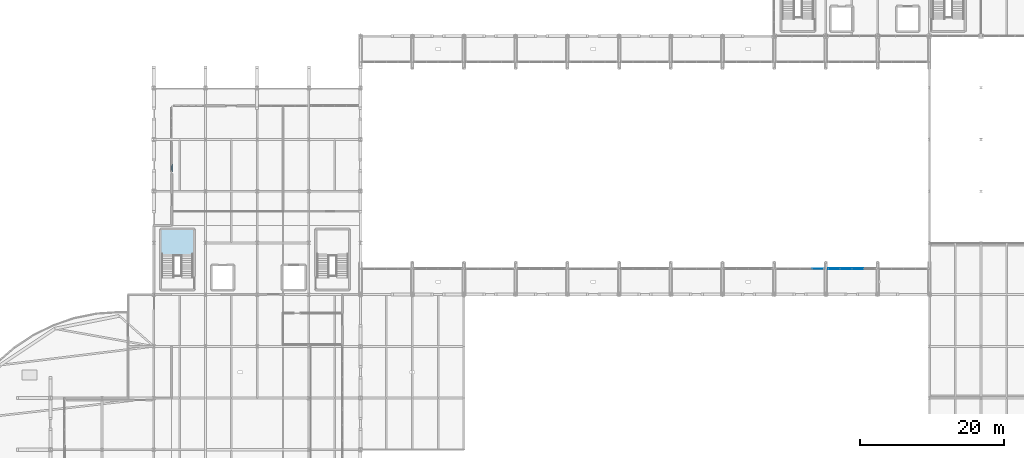
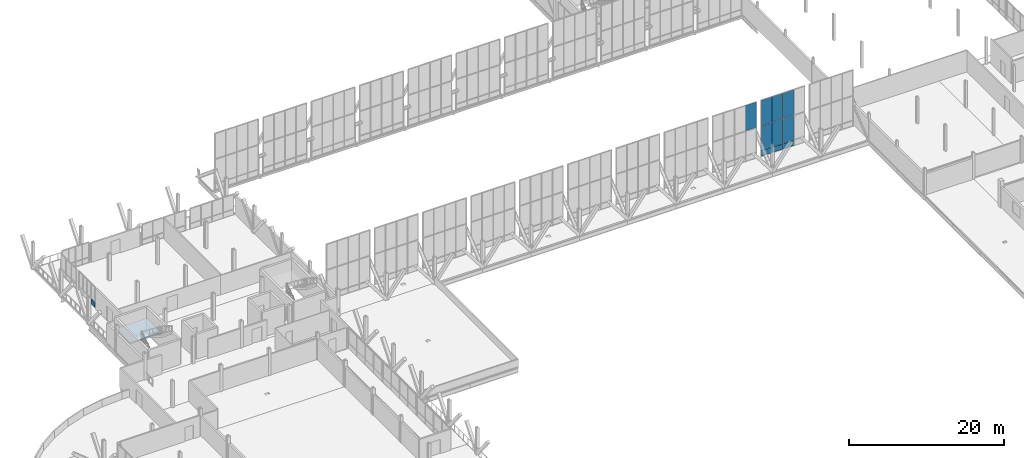
# One storey, part 77 of 102: 11 plates, 1 slab, 4 elements without a shape of their own.
"""IFC4 building model written with IfcOpenShell, lengths in metres."""

from ifc_helpers import new_model, si_unit, direction, frame, origin, origin_2d, place, context, subcontext, project, spatial, polyline, rectangle, outline, extrude, material, layer, layer_set, type_object, element, aggregate, save


model = new_model("IFC4")

# Units and contexts
model_context = context("Model", 3, precision=1e-05, world=origin(), true_north=direction((0.0, 1.0)))
body_context = subcontext(model_context, "Body", "Model", "MODEL_VIEW")
ifc_project = project(units=[si_unit("LENGTHUNIT", "METRE"), si_unit("AREAUNIT", "SQUARE_METRE"), si_unit("VOLUMEUNIT", "CUBIC_METRE"), si_unit("PLANEANGLEUNIT", "RADIAN"), si_unit("MASSUNIT", "GRAM", prefix="KILO")], contexts=[model_context])

# Site, building, storey
site_placement = place(None, origin())
site = spatial("IfcSite", under=ifc_project, at=site_placement, CompositionType="ELEMENT")
building_placement = place(site_placement, origin())
building = spatial("IfcBuilding", under=site, at=building_placement, Name="Yarey Park Central Fire Station", CompositionType="ELEMENT")
storey_placement = place(building_placement, frame((0.0, 0.0, 6.0)))
storey = spatial("IfcBuildingStorey", under=building, at=storey_placement, Name="L02", CompositionType="ELEMENT", Elevation=6.0)

# Curtain wall, plates
ifc_material_1 = material(Name="Anodized Aluminium Frame", Category="aluminium")
curtain_wall_type_1 = type_object("IfcCurtainWallType", Name="ENV_CW_CLER_9M", PredefinedType="NOTDEFINED", material=ifc_material_1)
curtain_wall_1_placement = place(storey_placement, origin())
curtain_wall_1 = element("IfcCurtainWall", 1, at=curtain_wall_1_placement, inside=storey, type_object=curtain_wall_type_1, Name="CW_V2_CLER_S_10", PredefinedType="NOTDEFINED")
ifc_material_2 = material(Name="Insulated Aluminium Spandrel Panel", Category="aluminium")
ifc_layer_1 = layer(ifc_material_2, 0.087890625)
ifc_layer_set_1 = layer_set([ifc_layer_1], Name="Insulated Aluminium Spandrel Panel")
plate_type_1 = type_object("IfcPlateType", Name="ENV_PNL_SPN_04", PredefinedType="CURTAIN_PANEL", material=ifc_layer_set_1)
plate_1_placement = place(storey_placement, frame((123.532470703125, 61.199951171875, 0.04248046875), z_axis=(0.0, 0.0, 1.0), x_axis=(1.0, 0.0, 0.0)))
plate_1 = element("IfcPlate", 2, at=plate_1_placement, type_object=plate_type_1, Name="CW_V2_CLER_S_10_PNL01", PredefinedType="CURTAIN_PANEL", context=body_context, shape_type="SweptSolid", body=[
    extrude(rectangle(XDim=1.60498046875, YDim=0.087890625, at=origin_2d()), origin(), (0.0, 0.0, 1.0), 0.840087890625),
])
plate_2_placement = place(storey_placement, frame((125.177490234375, 61.199951171875, 0.04248046875), z_axis=(0.0, 0.0, 1.0), x_axis=(1.0, 0.0, 0.0)))
plate_2 = element("IfcPlate", 3, at=plate_2_placement, type_object=plate_type_1, Name="CW_V2_CLER_S_10_PNL04", PredefinedType="CURTAIN_PANEL", context=body_context, shape_type="SweptSolid", body=[
    extrude(rectangle(XDim=1.60498046875, YDim=0.087890625, at=origin_2d()), origin(), (0.0, 0.0, 1.0), 0.840087890625),
])
plate_3_placement = place(storey_placement, frame((126.822509765625, 61.199951171875, 0.04248046875), z_axis=(0.0, 0.0, 1.0), x_axis=(1.0, 0.0, 0.0)))
plate_3 = element("IfcPlate", 4, at=plate_3_placement, type_object=plate_type_1, Name="CW_V2_CLER_S_10_PNL07", PredefinedType="CURTAIN_PANEL", context=body_context, shape_type="SweptSolid", body=[
    extrude(rectangle(XDim=1.60498046875, YDim=0.087890625, at=origin_2d()), origin(), (0.0, 0.0, 1.0), 0.840087890625),
])

# Curtain wall, plate
curtain_wall_type_2 = type_object("IfcCurtainWallType", Name="ENV_CW_V3_GALW", PredefinedType="NOTDEFINED", material=ifc_material_1)
curtain_wall_2_placement = place(storey_placement, origin())
curtain_wall_2 = element("IfcCurtainWall", 5, at=curtain_wall_2_placement, inside=storey, type_object=curtain_wall_type_2, Name="CW_L02_V3_W_035", PredefinedType="NOTDEFINED")
plate_4_placement = place(storey_placement, frame((31.300048828125, 75.226318359375, 0.04248046875), z_axis=(0.0, 0.0, 1.0), x_axis=(0.0, 1.0, 0.0)))
plate_4 = element("IfcPlate", 6, at=plate_4_placement, type_object=plate_type_1, Name="CW_L02_V3_W_035_PNL01", PredefinedType="CURTAIN_PANEL", context=body_context, shape_type="SweptSolid", body=[
    extrude(rectangle(XDim=0.992431640625, YDim=0.087890625, at=origin_2d()), origin(), (0.0, 0.0, 1.0), 0.7900390625),
])
aggregate(curtain_wall_2, [plate_4])

curtain_wall_3_placement = place(storey_placement, origin())
curtain_wall_3 = element("IfcCurtainWall", 7, at=curtain_wall_3_placement, inside=storey, type_object=curtain_wall_type_1, Name="CW_V2_CLER_S_09", PredefinedType="NOTDEFINED")
ifc_material_3 = material(Name="Laminated Hurricane Low-E Glass", Category="glass")
ifc_layer_2 = layer(ifc_material_3, 0.031982421875)
ifc_layer_set_2 = layer_set([ifc_layer_2], Name="Laminated Hurricane Low-E Glass")
plate_type_2 = type_object("IfcPlateType", Name="ENV_PNL_VIS_02", PredefinedType="CURTAIN_PANEL", material=ifc_layer_set_2)
plate_5_placement = place(storey_placement, frame((121.267578125, 61.199951171875, 4.82373046875), z_axis=(0.0, 0.0, 1.0), x_axis=(1.0, 0.0, 0.0)))
plate_5 = element("IfcPlate", 8, at=plate_5_placement, type_object=plate_type_2, Name="CW_V2_CLER_S_09_PNL12", PredefinedType="CURTAIN_PANEL", context=body_context, shape_type="SweptSolid", body=[
    extrude(rectangle(XDim=1.60498046875, YDim=0.031982421875, at=origin_2d()), origin(), (0.0, 0.0, 1.0), 4.033935546875),
])
aggregate(curtain_wall_3, [plate_5])

# Plate
ifc_layer_3 = layer(ifc_material_3, 0.0458984375)
ifc_layer_set_3 = layer_set([ifc_layer_3], Name="Laminated Hurricane Low-E Glass")
plate_type_3 = type_object("IfcPlateType", Name="ENV_PNL_VIS_04", PredefinedType="CURTAIN_PANEL", material=ifc_layer_set_3)
plate_6_placement = place(storey_placement, frame((123.532470703125, 61.199951171875, 0.91748046875), z_axis=(0.0, 0.0, 1.0), x_axis=(1.0, 0.0, 0.0)))
plate_6 = element("IfcPlate", 9, at=plate_6_placement, type_object=plate_type_3, Name="CW_V2_CLER_S_10_PNL02", PredefinedType="CURTAIN_PANEL", context=body_context, shape_type="SweptSolid", body=[
    extrude(rectangle(XDim=1.60498046875, YDim=0.0458984375, at=origin_2d()), origin(), (0.0, 0.0, 1.0), 3.87109375),
])

plate_7_placement = place(storey_placement, frame((123.532470703125, 61.199951171875, 4.82373046875), z_axis=(0.0, 0.0, 1.0), x_axis=(1.0, 0.0, 0.0)))
plate_7 = element("IfcPlate", 10, at=plate_7_placement, type_object=plate_type_3, Name="CW_V2_CLER_S_10_PNL03", PredefinedType="CURTAIN_PANEL", context=body_context, shape_type="SweptSolid", body=[
    extrude(rectangle(XDim=1.60498046875, YDim=0.0458984375, at=origin_2d()), origin(), (0.0, 0.0, 1.0), 4.033935546875),
])

plate_8_placement = place(storey_placement, frame((125.177490234375, 61.199951171875, 0.91748046875), z_axis=(0.0, 0.0, 1.0), x_axis=(1.0, 0.0, 0.0)))
plate_8 = element("IfcPlate", 11, at=plate_8_placement, type_object=plate_type_3, Name="CW_V2_CLER_S_10_PNL05", PredefinedType="CURTAIN_PANEL", context=body_context, shape_type="SweptSolid", body=[
    extrude(rectangle(XDim=1.60498046875, YDim=0.0458984375, at=origin_2d()), origin(), (0.0, 0.0, 1.0), 3.87109375),
])

plate_9_placement = place(storey_placement, frame((125.177490234375, 61.199951171875, 4.82373046875), z_axis=(0.0, 0.0, 1.0), x_axis=(1.0, 0.0, 0.0)))
plate_9 = element("IfcPlate", 12, at=plate_9_placement, type_object=plate_type_3, Name="CW_V2_CLER_S_10_PNL06", PredefinedType="CURTAIN_PANEL", context=body_context, shape_type="SweptSolid", body=[
    extrude(rectangle(XDim=1.60498046875, YDim=0.0458984375, at=origin_2d()), origin(), (0.0, 0.0, 1.0), 4.033935546875),
])

plate_10_placement = place(storey_placement, frame((126.822509765625, 61.199951171875, 0.91748046875), z_axis=(0.0, 0.0, 1.0), x_axis=(1.0, 0.0, 0.0)))
plate_10 = element("IfcPlate", 13, at=plate_10_placement, type_object=plate_type_3, Name="CW_V2_CLER_S_10_PNL08", PredefinedType="CURTAIN_PANEL", context=body_context, shape_type="SweptSolid", body=[
    extrude(rectangle(XDim=1.60498046875, YDim=0.0458984375, at=origin_2d()), origin(), (0.0, 0.0, 1.0), 3.87109375),
])

plate_11_placement = place(storey_placement, frame((126.822509765625, 61.199951171875, 4.82373046875), z_axis=(0.0, 0.0, 1.0), x_axis=(1.0, 0.0, 0.0)))
plate_11 = element("IfcPlate", 14, at=plate_11_placement, type_object=plate_type_3, Name="CW_V2_CLER_S_10_PNL09", PredefinedType="CURTAIN_PANEL", context=body_context, shape_type="SweptSolid", body=[
    extrude(rectangle(XDim=1.60498046875, YDim=0.0458984375, at=origin_2d()), origin(), (0.0, 0.0, 1.0), 4.033935546875),
])

aggregate(curtain_wall_1, [plate_1, plate_6, plate_7, plate_2, plate_8, plate_9, plate_3, plate_10, plate_11])

# Stair, slab
ifc_material_4 = material(Name="Concrete C40/50", Category="concrete")
stair_type = type_object("IfcStairType", Name="INT_ST_2RUN_150_H42", PredefinedType="USERDEFINED", material=ifc_material_4)
stair_placement = place(storey_placement, origin())
stair = element("IfcStair", 15, at=stair_placement, inside=storey, type_object=stair_type, Name="Exit Stair ST-3 L02", ObjectType="TWO_RUN_STAIR", PredefinedType="USERDEFINED")
ifc_layer_4 = layer(ifc_material_4, 0.205078125)
ifc_layer_set_4 = layer_set([ifc_layer_4], Name="Concrete C40/50")
slab_type = type_object("IfcSlabType", Name="INT_SLAB_LND205", PredefinedType="LANDING", material=ifc_layer_set_4)
slab_placement = place(storey_placement, frame((0.0, 0.0, 1.89501953125)))
slab = element("IfcSlab", 16, at=slab_placement, type_object=slab_type, Name="STAIR_C3_L02_LND", PredefinedType="LANDING", context=body_context, shape_type="SweptSolid", body=[
    extrude(outline(polyline([(29.75, 63.0), (34.449951171875, 63.0), (34.449951171875, 66.75), (29.75, 66.75), (29.75, 63.0)])), origin(), (0.0, 0.0, 1.0), 0.205078125),
])
aggregate(stair, [slab])

save(model, "model.ifc")
